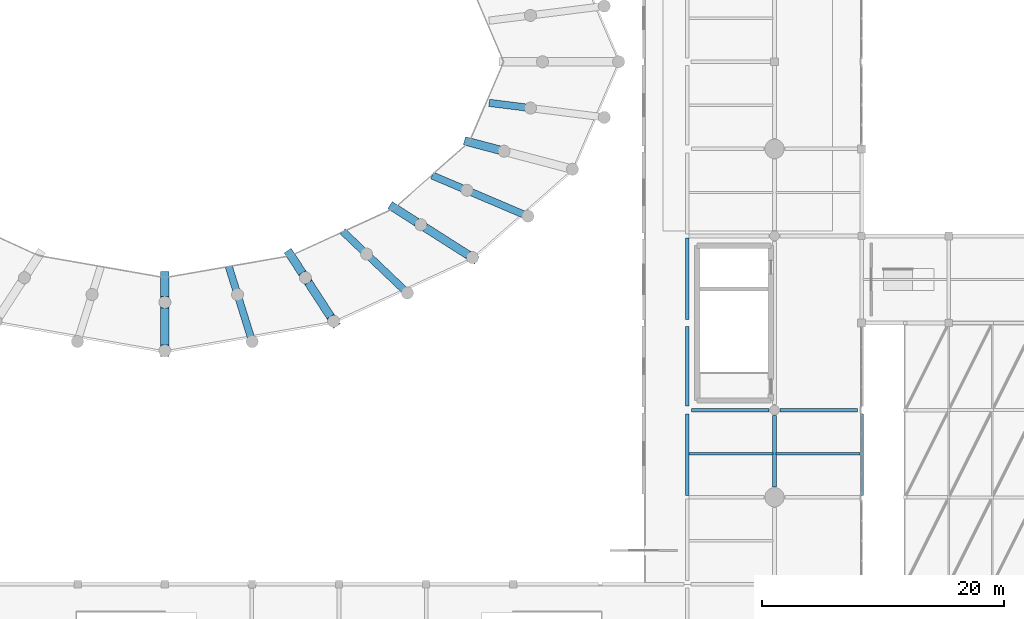
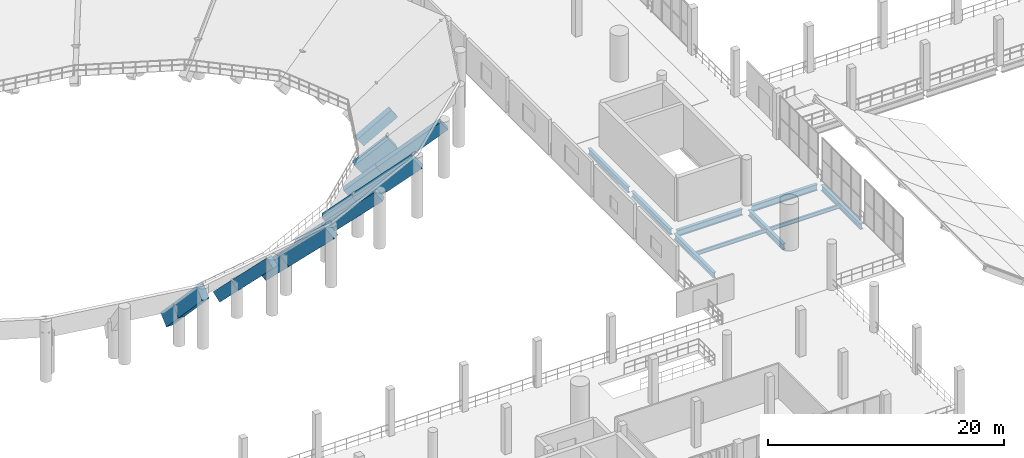
# One storey, part 29 of 105: 23 beams.
"""IFC4 building model written with IfcOpenShell, lengths in metres."""

from ifc_helpers import new_model, si_unit, direction, frame, origin, origin_2d, place, context, subcontext, project, spatial, rectangle, i_section, extrude, material, material_profile, profile_set, type_object, element, save


model = new_model("IFC4")

# Units and contexts
model_context = context("Model", 3, precision=1e-05, world=origin(), true_north=direction((0.0, 1.0)))
body_context = subcontext(model_context, "Body", "Model", "MODEL_VIEW")
ifc_project = project(units=[si_unit("LENGTHUNIT", "METRE"), si_unit("AREAUNIT", "SQUARE_METRE"), si_unit("VOLUMEUNIT", "CUBIC_METRE"), si_unit("PLANEANGLEUNIT", "RADIAN"), si_unit("MASSUNIT", "GRAM", prefix="KILO")], contexts=[model_context])

# Site, building, storey
site_placement = place(None, origin())
site = spatial("IfcSite", under=ifc_project, at=site_placement, CompositionType="ELEMENT")
building_placement = place(site_placement, origin())
building = spatial("IfcBuilding", under=site, at=building_placement, Name="Qandorah Velis Arena", CompositionType="ELEMENT")
storey_placement = place(building_placement, frame((0.0, 0.0, 13.800048828125)))
storey = spatial("IfcBuildingStorey", under=building, at=storey_placement, Name="L03", CompositionType="ELEMENT", Elevation=13.800048828125)

# Beams
ifc_material_1 = material(Name="Steel S355", Category="steel")
ifc_material_profile_1 = material_profile(ifc_material_1, i_section(OverallWidth=0.300048828125, OverallDepth=0.60009765625, WebThickness=0.015380859375, FlangeThickness=0.030029296875, FilletRadius=0.027099609375, at=origin_2d()), Name="HEB 600")
ifc_profile_set_1 = profile_set([ifc_material_profile_1], Name="Steel S355")
beam_type_1 = type_object("IfcBeamType", Name="STR-BM-HEB600", PredefinedType="BEAM", material=ifc_profile_set_1)
beam_1_placement = place(storey_placement, frame((108.0, 28.949951171875, -0.6201171875), z_axis=(0.0, 1.0, 0.0), x_axis=(-1.0, 0.0, 0.0)))
element("IfcBeam", 1, at=beam_1_placement, inside=storey, type_object=beam_type_1, Name="Primary floor girder L03 Y-285", PredefinedType="BEAM", context=body_context, shape_type="SweptSolid", body=[
    extrude(i_section(OverallWidth=0.300048828125, OverallDepth=0.60009765625, WebThickness=0.015380859375, FlangeThickness=0.030029296875, FilletRadius=0.027099609375, at=origin_2d()), origin(), (0.0, 0.0, 1.0), 6.72509765625),
])
beam_2_placement = place(storey_placement, frame((108.0, 36.324951171875, -0.6201171875), z_axis=(0.0, 1.0, 0.0), x_axis=(-1.0, 0.0, 0.0)))
element("IfcBeam", 2, at=beam_2_placement, inside=storey, type_object=beam_type_1, Name="Primary floor girder L03 Y-286", PredefinedType="BEAM", context=body_context, shape_type="SweptSolid", body=[
    extrude(i_section(OverallWidth=0.300048828125, OverallDepth=0.60009765625, WebThickness=0.015380859375, FlangeThickness=0.030029296875, FilletRadius=0.027099609375, at=origin_2d()), origin(), (0.0, 0.0, 1.0), 6.574951171875),
])
beam_3_placement = place(storey_placement, frame((108.0, 43.5, -0.6201171875), z_axis=(0.0, 1.0, 0.0), x_axis=(-1.0, 0.0, 0.0)))
element("IfcBeam", 3, at=beam_3_placement, inside=storey, type_object=beam_type_1, Name="Primary floor girder L03 Y-287", PredefinedType="BEAM", context=body_context, shape_type="SweptSolid", body=[
    extrude(i_section(OverallWidth=0.300048828125, OverallDepth=0.60009765625, WebThickness=0.015380859375, FlangeThickness=0.030029296875, FilletRadius=0.027099609375, at=origin_2d()), origin(), (0.0, 0.0, 1.0), 6.75),
])
beam_4_placement = place(storey_placement, frame((115.199951171875, 29.64990234375, -0.6201171875), z_axis=(0.0, 1.0, 0.0), x_axis=(-1.0, 0.0, 0.0)))
element("IfcBeam", 4, at=beam_4_placement, inside=storey, type_object=beam_type_1, Name="Primary floor girder L03 Y-303", PredefinedType="BEAM", context=body_context, shape_type="SweptSolid", body=[
    extrude(i_section(OverallWidth=0.300048828125, OverallDepth=0.60009765625, WebThickness=0.015380859375, FlangeThickness=0.030029296875, FilletRadius=0.027099609375, at=origin_2d()), origin(), (0.0, 0.0, 1.0), 5.900146484375),
])
beam_5_placement = place(storey_placement, frame((122.39990234375, 28.949951171875, -0.6201171875), z_axis=(0.0, 1.0, 0.0), x_axis=(-1.0, 0.0, 0.0)))
element("IfcBeam", 5, at=beam_5_placement, inside=storey, type_object=beam_type_1, Name="Primary floor girder L03 Y-316", PredefinedType="BEAM", context=body_context, shape_type="SweptSolid", body=[
    extrude(i_section(OverallWidth=0.300048828125, OverallDepth=0.60009765625, WebThickness=0.015380859375, FlangeThickness=0.030029296875, FilletRadius=0.027099609375, at=origin_2d()), origin(), (0.0, 0.0, 1.0), 6.72509765625),
])
ifc_material_profile_2 = material_profile(ifc_material_1, i_section(OverallWidth=0.300048828125, OverallDepth=0.64990234375, WebThickness=0.01611328125, FlangeThickness=0.031005859375, FilletRadius=0.027099609375, at=origin_2d()), Name="HEB 650")
ifc_profile_set_2 = profile_set([ifc_material_profile_2], Name="Steel S355")
beam_type_2 = type_object("IfcBeamType", Name="STR-BM-HEB650", PredefinedType="BEAM", material=ifc_profile_set_2)
for number, where, z_axis, x_axis, name in (
    (6, (108.324951171875, 36.0, -0.64501953125), (1.0, 0.0, 0.0), (0.0, 1.0, 0.0), "Primary floor girder L03 X-065"),
    (7, (115.64990234375, 36.0, -0.64501953125), (1.0, 0.0, 0.0), (0.0, 1.0, 0.0), "Primary floor girder L03 X-066"),
):
    element("IfcBeam", number, at=place(storey_placement, frame(where, z_axis=z_axis, x_axis=x_axis)), inside=storey, type_object=beam_type_2, Name=name, PredefinedType="BEAM", context=body_context, shape_type="SweptSolid", body=[
        extrude(i_section(OverallWidth=0.300048828125, OverallDepth=0.64990234375, WebThickness=0.01611328125, FlangeThickness=0.031005859375, FilletRadius=0.027099609375, at=origin_2d()), origin(), (0.0, 0.0, 1.0), 6.425048828125),
    ])
ifc_material_profile_3 = material_profile(ifc_material_1, i_section(OverallWidth=0.179931640625, OverallDepth=0.39990234375, WebThickness=0.008544921875, FlangeThickness=0.013427734375, FilletRadius=0.02099609375, at=origin_2d()), Name="IPE 400")
ifc_profile_set_3 = profile_set([ifc_material_profile_3], Name="Steel S355")
beam_type_3 = type_object("IfcBeamType", Name="STR-JST-IPE400", PredefinedType="JOIST", material=ifc_profile_set_3)
for number, where, z_axis, x_axis, name in (
    (8, (108.135009765625, 32.39990234375, -0.52001953125), (1.0, 0.0, 0.0), (0.0, 1.0, 0.0), "Secondary floor joist L03-077"),
    (9, (115.3349609375, 32.39990234375, -0.52001953125), (1.0, 0.0, 0.0), (0.0, 1.0, 0.0), "Secondary floor joist L03-089"),
):
    element("IfcBeam", number, at=place(storey_placement, frame(where, z_axis=z_axis, x_axis=x_axis)), inside=storey, type_object=beam_type_3, Name=name, PredefinedType="JOIST", context=body_context, shape_type="SweptSolid", body=[
        extrude(i_section(OverallWidth=0.179931640625, OverallDepth=0.39990234375, WebThickness=0.008544921875, FlangeThickness=0.013427734375, FilletRadius=0.02099609375, at=origin_2d()), origin(), (0.0, 0.0, 1.0), 6.929931640625),
    ])
ifc_material_2 = material(Name="Concrete C40/50", Category="concrete")
ifc_material_profile_4 = material_profile(ifc_material_2, rectangle(XDim=0.60009765625, YDim=1.050048828125, at=origin_2d()), Name="RC RAKER 600x1050")
ifc_profile_set_4 = profile_set([ifc_material_profile_4], Name="Concrete C40/50")
beam_type_4 = type_object("IfcBeamType", Name="STR-RAK-600X1050", PredefinedType="USERDEFINED", material=ifc_profile_set_4)
beam_6_placement = place(storey_placement, frame((70.812255859375, 45.553466796875, 1.40966796875), z_axis=(-0.206573405548, 0.661278882091, -0.721136372832), x_axis=(-0.954511305053, -0.29817472818, 0.0)))
element("IfcBeam", 10, at=beam_6_placement, inside=storey, type_object=beam_type_4, Name="Upper bowl cantilever raker RB-UC13.2", ObjectType="RAKER BEAM", PredefinedType="USERDEFINED", context=body_context, shape_type="SweptSolid", body=[
    extrude(rectangle(XDim=0.60009765625, YDim=1.050048828125, at=origin_2d()), origin(), (0.0, 0.0, 1.0), 3.001953125),
])
beam_7_placement = place(storey_placement, frame((70.812255859375, 45.553466796875, 1.40966796875), z_axis=(0.206596384927, -0.661274706524, 0.721133618857), x_axis=(0.95450132838, 0.298206663443, 0.0)))
element("IfcBeam", 11, at=beam_7_placement, inside=storey, type_object=beam_type_4, Name="Upper bowl back-span raker RB-UB13.2", ObjectType="RAKER BEAM", PredefinedType="USERDEFINED", context=body_context, shape_type="SweptSolid", body=[
    extrude(rectangle(XDim=0.60009765625, YDim=1.050048828125, at=origin_2d()), origin(), (0.0, 0.0, 1.0), 5.873291015625),
])
beam_8_placement = place(storey_placement, frame((81.486083984375, 48.898681640625, 1.40966796875), z_axis=(-0.53529391802, 0.510085750533, -0.67325548526), x_axis=(-0.689855148788, -0.723947424673, 0.0)))
element("IfcBeam", 12, at=beam_8_placement, inside=storey, type_object=beam_type_4, Name="Upper bowl cantilever raker RB-UC14.2", ObjectType="RAKER BEAM", PredefinedType="USERDEFINED", context=body_context, shape_type="SweptSolid", body=[
    extrude(rectangle(XDim=0.60009765625, YDim=1.050048828125, at=origin_2d()), origin(), (0.0, 0.0, 1.0), 3.21533203125),
])
beam_9_placement = place(storey_placement, frame((81.486083984375, 48.898681640625, 1.40966796875), z_axis=(0.535252255012, -0.510063456991, 0.673305497785), x_axis=(0.689867488002, 0.723935666339, 0.0)))
element("IfcBeam", 13, at=beam_9_placement, inside=storey, type_object=beam_type_4, Name="Upper bowl back-span raker RB-UB14.2", ObjectType="RAKER BEAM", PredefinedType="USERDEFINED", context=body_context, shape_type="SweptSolid", body=[
    extrude(rectangle(XDim=0.60009765625, YDim=1.050048828125, at=origin_2d()), origin(), (0.0, 0.0, 1.0), 6.290283203125),
])
beam_10_placement = place(storey_placement, frame((89.772216796875, 54.17529296875, 1.40966796875), z_axis=(-0.727868305697, 0.309666599295, -0.611812329757), x_axis=(-0.391486021322, -0.920184055018, 0.0)))
element("IfcBeam", 14, at=beam_10_placement, inside=storey, type_object=beam_type_4, Name="Upper bowl cantilever raker RB-UC15.2", ObjectType="RAKER BEAM", PredefinedType="USERDEFINED", context=body_context, shape_type="SweptSolid", body=[
    extrude(rectangle(XDim=0.60009765625, YDim=1.050048828125, at=origin_2d()), origin(), (0.0, 0.0, 1.0), 3.538330078125),
])
beam_11_placement = place(storey_placement, frame((89.772216796875, 54.17529296875, 1.40966796875), z_axis=(0.727894225568, -0.309692703306, 0.611768277949), x_axis=(0.391502159472, 0.920177188985, 0.0)))
element("IfcBeam", 15, at=beam_11_placement, inside=storey, type_object=beam_type_4, Name="Upper bowl back-span raker RB-UB15.2", ObjectType="RAKER BEAM", PredefinedType="USERDEFINED", context=body_context, shape_type="SweptSolid", body=[
    extrude(rectangle(XDim=0.60009765625, YDim=1.050048828125, at=origin_2d()), origin(), (0.0, 0.0, 1.0), 6.923095703125),
])
beam_12_placement = place(storey_placement, frame((95.02587890625, 60.9716796875, 1.40966796875), z_axis=(-0.816973236956, 0.103457257746, -0.567319421418), x_axis=(-0.125631488177, -0.992076977446, 0.0)))
element("IfcBeam", 16, at=beam_12_placement, inside=storey, type_object=beam_type_4, Name="Upper bowl cantilever raker RB-UC16.2", ObjectType="RAKER BEAM", PredefinedType="USERDEFINED", context=body_context, shape_type="SweptSolid", body=[
    extrude(rectangle(XDim=0.60009765625, YDim=1.050048828125, at=origin_2d()), origin(), (0.0, 0.0, 1.0), 3.81591796875),
])
ifc_material_profile_5 = material_profile(ifc_material_2, rectangle(XDim=0.699951171875, YDim=1.35009765625, at=origin_2d()), Name="RC RAKER 700x1350")
ifc_profile_set_5 = profile_set([ifc_material_profile_5], Name="Concrete C40/50")
beam_type_5 = type_object("IfcBeamType", Name="STR-RAK-700X1350", PredefinedType="USERDEFINED", material=ifc_profile_set_5)
beam_13_placement = place(storey_placement, frame((64.800048828125, 44.920654296875, 1.259765625), z_axis=(0.0, 0.687644709541, -0.72604734931), x_axis=(-1.0, 0.0, 0.0)))
element("IfcBeam", 17, at=beam_13_placement, inside=storey, type_object=beam_type_5, Name="Upper bowl cantilever raker RB-UC13.1", ObjectType="RAKER BEAM", PredefinedType="USERDEFINED", context=body_context, shape_type="SweptSolid", body=[
    extrude(rectangle(XDim=0.699951171875, YDim=1.35009765625, at=origin_2d()), origin(), (0.0, 0.0, 1.0), 2.981689453125),
])
beam_14_placement = place(storey_placement, frame((64.800048828125, 44.920654296875, 1.259765625), z_axis=(0.0, -0.68767847533, 0.726015367997), x_axis=(1.0, 0.0, 0.0)))
element("IfcBeam", 18, at=beam_14_placement, inside=storey, type_object=beam_type_5, Name="Upper bowl back-span raker RB-UB13.1", ObjectType="RAKER BEAM", PredefinedType="USERDEFINED", context=body_context, shape_type="SweptSolid", body=[
    extrude(rectangle(XDim=0.699951171875, YDim=1.35009765625, at=origin_2d()), origin(), (0.0, 0.0, 1.0), 5.833251953125),
])
beam_15_placement = place(storey_placement, frame((76.41455078125, 46.945556640625, 1.259765625), z_axis=(-0.388419227893, 0.597074839209, -0.701877581767), x_axis=(-0.838237901596, -0.545304704114, 0.0)))
element("IfcBeam", 19, at=beam_15_placement, inside=storey, type_object=beam_type_5, Name="Upper bowl cantilever raker RB-UC14.1", ObjectType="RAKER BEAM", PredefinedType="USERDEFINED", context=body_context, shape_type="SweptSolid", body=[
    extrude(rectangle(XDim=0.699951171875, YDim=1.35009765625, at=origin_2d()), origin(), (0.0, 0.0, 1.0), 3.084228515625),
])
beam_16_placement = place(storey_placement, frame((76.41455078125, 46.945556640625, 1.259765625), z_axis=(0.388413535335, -0.597104891091, 0.701855166401), x_axis=(0.838254099268, 0.545279804376, 0.0)))
element("IfcBeam", 20, at=beam_16_placement, inside=storey, type_object=beam_type_5, Name="Upper bowl back-span raker RB-UB14.1", ObjectType="RAKER BEAM", PredefinedType="USERDEFINED", context=body_context, shape_type="SweptSolid", body=[
    extrude(rectangle(XDim=0.699951171875, YDim=1.35009765625, at=origin_2d()), origin(), (0.0, 0.0, 1.0), 6.0341796875),
])
beam_17_placement = place(storey_placement, frame((85.959716796875, 51.326416015625, 1.259765625), z_axis=(-0.646924820526, 0.411936019514, -0.641714104889), x_axis=(-0.537113598348, -0.843509918418, 0.0)))
element("IfcBeam", 21, at=beam_17_placement, inside=storey, type_object=beam_type_5, Name="Upper bowl cantilever raker RB-UC15.1", ObjectType="RAKER BEAM", PredefinedType="USERDEFINED", context=body_context, shape_type="SweptSolid", body=[
    extrude(rectangle(XDim=0.699951171875, YDim=1.35009765625, at=origin_2d()), origin(), (0.0, 0.0, 1.0), 3.37353515625),
])
beam_18_placement = place(storey_placement, frame((85.959716796875, 51.326416015625, 1.259765625), z_axis=(0.646966691332, -0.411928020279, 0.641677026561), x_axis=(0.537081443659, 0.843530392385, 0.0)))
element("IfcBeam", 22, at=beam_18_placement, inside=storey, type_object=beam_type_5, Name="Upper bowl back-span raker RB-UB15.1", ObjectType="RAKER BEAM", PredefinedType="USERDEFINED", context=body_context, shape_type="SweptSolid", body=[
    extrude(rectangle(XDim=0.699951171875, YDim=1.35009765625, at=origin_2d()), origin(), (0.0, 0.0, 1.0), 6.60009765625),
])
beam_19_placement = place(storey_placement, frame((92.840087890625, 57.404296875, 1.259765625), z_axis=(-0.783289810237, 0.206633518233, -0.586310209976), x_axis=(-0.255075830439, -0.966921051961, 0.0)))
element("IfcBeam", 23, at=beam_19_placement, inside=storey, type_object=beam_type_5, Name="Upper bowl cantilever raker RB-UC16.1", ObjectType="RAKER BEAM", PredefinedType="USERDEFINED", context=body_context, shape_type="SweptSolid", body=[
    extrude(rectangle(XDim=0.699951171875, YDim=1.35009765625, at=origin_2d()), origin(), (0.0, 0.0, 1.0), 3.692138671875),
])

save(model, "model.ifc")
